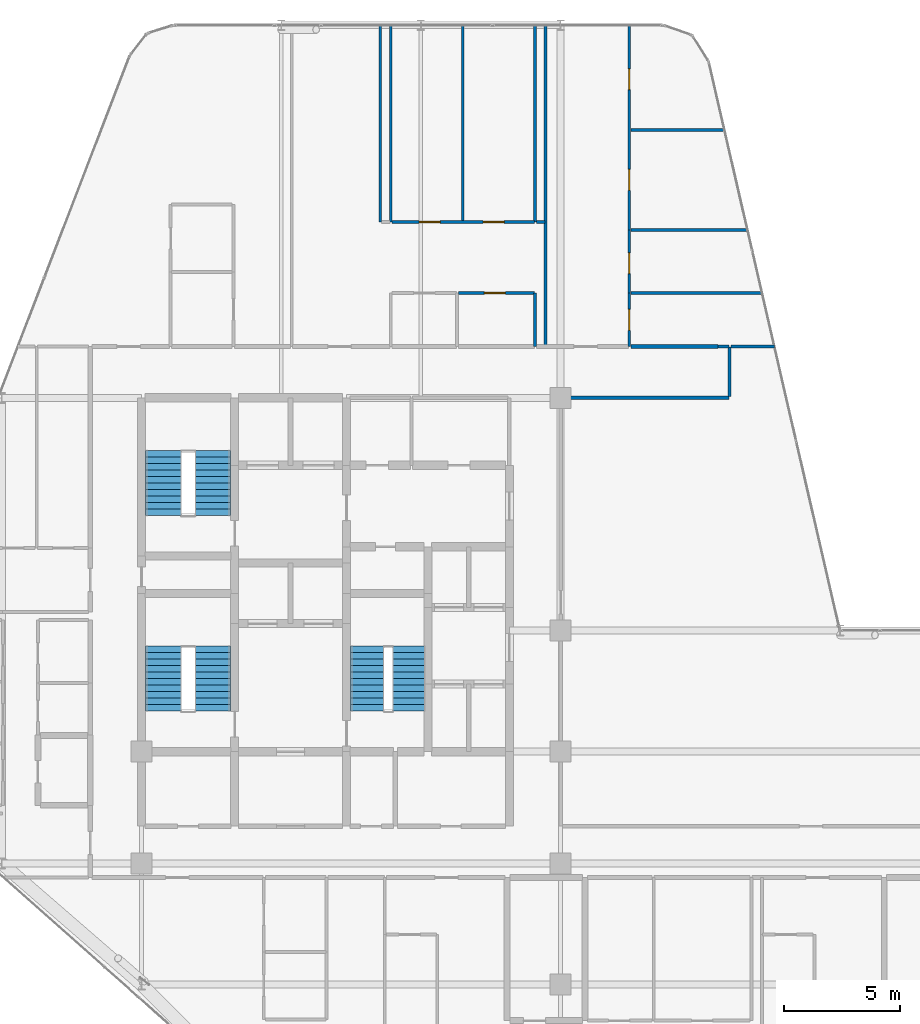
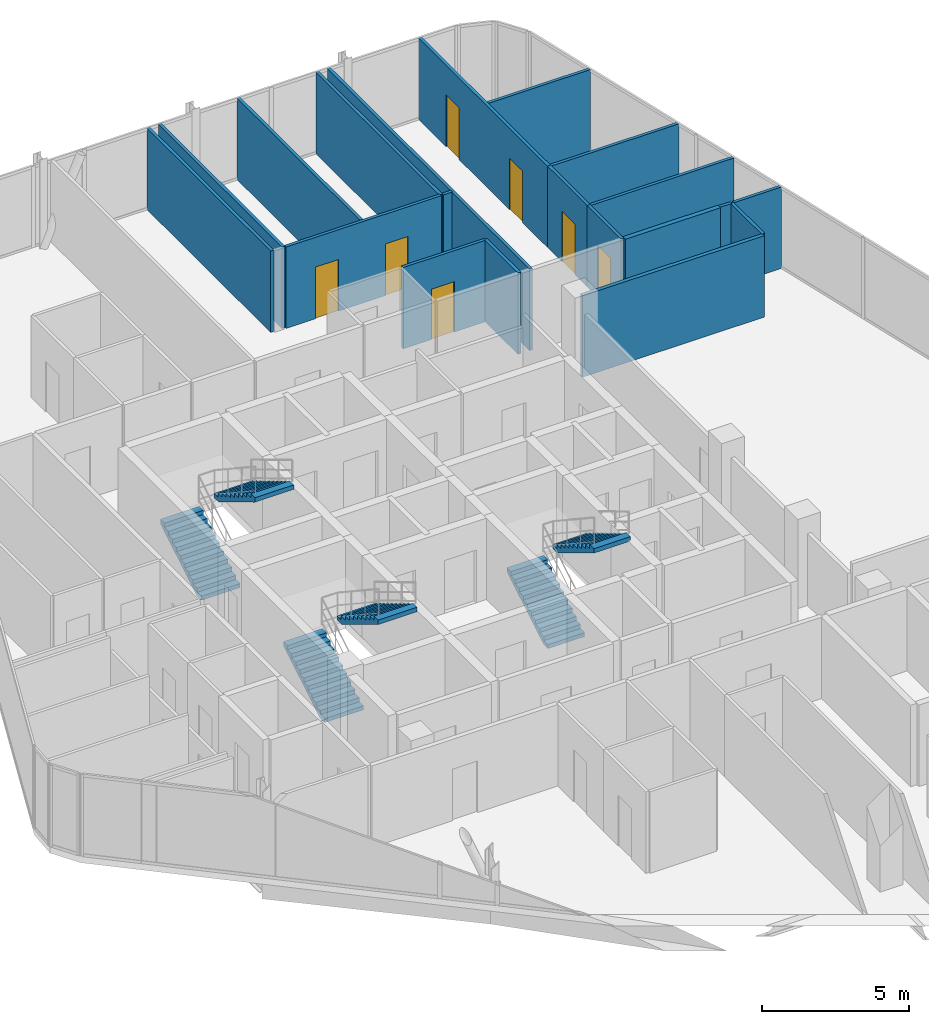
# One storey, part 28 of 29: 20 walls, 7 doors, 6 stair flights, 7 openings, 3 elements without a shape of their own.
"""IFC4 building model written with IfcOpenShell, lengths in metres."""

from ifc_helpers import new_model, si_unit, direction, frame, frame_2d, origin, place, context, subcontext, project, spatial, polyline, rectangle, outline, extrude, material, layer, layer_set, type_object, element, fill, aggregate, save


model = new_model("IFC4")

# Units and contexts
model_context = context("Model", 3, precision=1e-05, world=origin(), true_north=direction((0.0, 1.0)))
body_context = subcontext(model_context, "Body", "Model", "MODEL_VIEW")
ifc_project = project(units=[si_unit("LENGTHUNIT", "METRE"), si_unit("AREAUNIT", "SQUARE_METRE"), si_unit("VOLUMEUNIT", "CUBIC_METRE"), si_unit("PLANEANGLEUNIT", "RADIAN"), si_unit("MASSUNIT", "GRAM", prefix="KILO")], contexts=[model_context])

# Site, building, storey
site_placement = place(None, origin())
site = spatial("IfcSite", under=ifc_project, at=site_placement, CompositionType="ELEMENT")
building_placement = place(site_placement, origin())
building = spatial("IfcBuilding", under=site, at=building_placement, Name="Keshet Zoharim Tower", CompositionType="ELEMENT")
storey_placement = place(building_placement, frame((0.0, 0.0, 169.10009765625)))
storey = spatial("IfcBuildingStorey", under=building, at=storey_placement, Name="L41", CompositionType="ELEMENT", Elevation=169.10009765625)

# Walls
ifc_material_1 = material(Name="Gypsum Plasterboard", Category="gypsum")
ifc_layer_1 = layer(ifc_material_1, 0.14990234375)
ifc_layer_set_1 = layer_set([ifc_layer_1], Name="Gypsum Plasterboard")
wall_type_1 = type_object("IfcWallType", Name="WL-CLIN-150", PredefinedType="STANDARD", material=ifc_layer_set_1)
wall_1_placement = place(storey_placement, frame((33.070068359375, 37.89990234375, 0.0), z_axis=(0.0, 0.0, 1.0), x_axis=(1.0, 0.0, 0.0)))
element("IfcWall", 1, at=wall_1_placement, inside=storey, type_object=wall_type_1, Name="L41 Interior Wall 162", PredefinedType="STANDARD", context=body_context, shape_type="SweptSolid", body=[
    extrude(rectangle(XDim=7.155029296875, YDim=0.14990234375, at=frame_2d((3.57763671875, 0.0))), origin(), (0.0, 0.0, 1.0), 3.389892578125),
])
ifc_layer_2 = layer(ifc_material_1, 0.179931640625)
ifc_layer_set_2 = layer_set([ifc_layer_2], Name="Gypsum Plasterboard")
wall_type_2 = type_object("IfcWallType", Name="WL-CORR-180", PredefinedType="STANDARD", material=ifc_layer_set_2)
wall_2_placement = place(storey_placement, frame((36.014892578125, 40.10009765625, 0.0), z_axis=(0.0, 0.0, 1.0), x_axis=(1.0, 0.0, 0.0)))
element("IfcWall", 2, at=wall_2_placement, inside=storey, type_object=wall_type_2, Name="L41 Interior Wall 172", PredefinedType="STANDARD", context=body_context, shape_type="SweptSolid", body=[
    extrude(rectangle(XDim=3.748046875, YDim=0.179931640625, at=frame_2d((1.8740234375, 0.0))), origin(), (0.0, 0.0, 1.0), 3.389892578125),
])
ifc_layer_3 = layer(ifc_material_1, 0.1201171875)
ifc_layer_set_3 = layer_set([ifc_layer_3], Name="Gypsum Plasterboard")
wall_type_3 = type_object("IfcWallType", Name="WL-PART-120", PredefinedType="PARTITIONING", material=ifc_layer_set_3)
for number, where, z_axis, x_axis, name in (
    (3, (25.25, 45.449951171875, 0.0), (0.0, 0.0, 1.0), (0.0, 1.0, 0.0), "L41 Interior Wall 040"),
    (4, (25.699951171875, 45.449951171875, 0.0), (0.0, 0.0, 1.0), (0.0, 1.0, 0.0), "L41 Interior Wall 044"),
    (5, (28.800048828125, 45.449951171875, 0.0), (0.0, 0.0, 1.0), (0.0, 1.0, 0.0), "L41 Interior Wall 053"),
    (6, (31.89990234375, 45.449951171875, 0.0), (0.0, 0.0, 1.0), (0.0, 1.0, 0.0), "L41 Interior Wall 066"),
):
    element("IfcWall", number, at=place(storey_placement, frame(where, z_axis=z_axis, x_axis=x_axis)), inside=storey, type_object=wall_type_3, Name=name, PredefinedType="PARTITIONING", context=body_context, shape_type="SweptSolid", body=[
        extrude(rectangle(XDim=8.43994140625, YDim=0.1201171875, at=frame_2d((4.219970703125, 0.0))), origin(), (0.0, 0.0, 1.0), 3.389892578125),
    ])
wall_3_placement = place(storey_placement, frame((32.35009765625, 40.10009765625, 0.0), z_axis=(0.0, 0.0, 1.0), x_axis=(0.0, 1.0, 0.0)))
element("IfcWall", 7, at=wall_3_placement, inside=storey, type_object=wall_type_3, Name="L41 Interior Wall 067", PredefinedType="PARTITIONING", context=body_context, shape_type="SweptSolid", body=[
    extrude(rectangle(XDim=13.789794921875, YDim=0.1201171875, at=frame_2d((6.89501953125, 0.0))), origin(), (0.0, 0.0, 1.0), 3.389892578125),
])

# Wall, opening, door
wall_4_placement = place(storey_placement, frame((35.949951171875, 40.10009765625, 0.0), z_axis=(0.0, 0.0, 1.0), x_axis=(0.0, 1.0, 0.0)))
wall_4 = element("IfcWall", 8, at=wall_4_placement, inside=storey, type_object=wall_type_3, Name="L41 Interior Wall 072", PredefinedType="PARTITIONING", context=body_context, shape_type="SweptSolid", body=[
    extrude(rectangle(XDim=2.2998046875, YDim=0.1201171875, at=frame_2d((1.14990234375, 0.0))), origin(), (0.0, 0.0, 1.0), 3.389892578125),
])
opening_1_placement = place(wall_4_placement, frame((0.699951171875, 0.0, 0.0)))
opening_1 = element("IfcOpeningElement", 9, at=opening_1_placement, cuts=wall_4, Name="Opening D-IN90", PredefinedType="OPENING", context=body_context, shape_type="SweptSolid", body=[
    extrude(rectangle(XDim=0.89990234375, YDim=2.14990234375, at=frame_2d((0.449951171875, 1.074951171875))), frame((0.0, 0.070068359375, 0.0), z_axis=(0.0, -1.0, 0.0), x_axis=(1.0, 0.0, 0.0)), (0.0, 0.0, 1.0), 0.14013671875),
])
ifc_material_2 = material(Name="Hardwood Timber", Category="wood")
door_type_1 = type_object("IfcDoorType", Name="DR-INT-090", OperationType="NOTDEFINED", PredefinedType="DOOR", material=ifc_material_2)
door_1_placement = place(opening_1_placement, origin())
door_1 = element("IfcDoor", 10, at=door_1_placement, inside=storey, type_object=door_type_1, Name="Apartment 4106 Kitchen Door", OperationType="SINGLE_SWING_RIGHT", OverallHeight=2.14990234375, OverallWidth=0.89990234375, PredefinedType="DOOR", context=body_context, shape_type="SweptSolid", body=[
    extrude(rectangle(XDim=0.89990234375, YDim=2.14990234375, at=frame_2d((0.449951171875, 1.074951171875))), frame((0.0, 0.02490234375, 0.0), z_axis=(0.0, -1.0, 0.0), x_axis=(1.0, 0.0, 0.0)), (0.0, 0.0, 1.0), 0.050048828125),
])
fill(opening_1, door_1)

# Wall, openings, doors
wall_5_placement = place(storey_placement, frame((35.949951171875, 45.10009765625, 0.0), z_axis=(0.0, 0.0, 1.0), x_axis=(0.0, 1.0, 0.0)))
wall_5 = element("IfcWall", 11, at=wall_5_placement, inside=storey, type_object=wall_type_3, Name="L41 Interior Wall 074", PredefinedType="PARTITIONING", context=body_context, shape_type="SweptSolid", body=[
    extrude(rectangle(XDim=8.789794921875, YDim=0.1201171875, at=frame_2d((4.39501953125, 0.0))), origin(), (0.0, 0.0, 1.0), 3.389892578125),
])
opening_2_placement = place(wall_5_placement, frame((1.7119140625, 0.0, 0.0)))
opening_2 = element("IfcOpeningElement", 12, at=opening_2_placement, cuts=wall_5, Name="Opening D-IN90", PredefinedType="OPENING", context=body_context, shape_type="SweptSolid", body=[
    extrude(rectangle(XDim=0.89990234375, YDim=2.14990234375, at=frame_2d((0.449951171875, 1.074951171875))), frame((0.0, 0.070068359375, 0.0), z_axis=(0.0, -1.0, 0.0), x_axis=(1.0, 0.0, 0.0)), (0.0, 0.0, 1.0), 0.14013671875),
])
opening_3_placement = place(wall_5_placement, frame((6.030029296875, 0.0, 0.0)))
opening_3 = element("IfcOpeningElement", 13, at=opening_3_placement, cuts=wall_5, Name="Opening D-IN90", PredefinedType="OPENING", context=body_context, shape_type="SweptSolid", body=[
    extrude(rectangle(XDim=0.89990234375, YDim=2.14990234375, at=frame_2d((0.449951171875, 1.074951171875))), frame((0.0, 0.070068359375, 0.0), z_axis=(0.0, -1.0, 0.0), x_axis=(1.0, 0.0, 0.0)), (0.0, 0.0, 1.0), 0.14013671875),
])
door_2_placement = place(opening_2_placement, origin())
door_2 = element("IfcDoor", 14, at=door_2_placement, inside=storey, type_object=door_type_1, Name="Apartment 4106 Bedroom 1 Door", OperationType="SINGLE_SWING_RIGHT", OverallHeight=2.14990234375, OverallWidth=0.89990234375, PredefinedType="DOOR", context=body_context, shape_type="SweptSolid", body=[
    extrude(rectangle(XDim=0.89990234375, YDim=2.14990234375, at=frame_2d((0.449951171875, 1.074951171875))), frame((0.0, 0.02490234375, 0.0), z_axis=(0.0, -1.0, 0.0), x_axis=(1.0, 0.0, 0.0)), (0.0, 0.0, 1.0), 0.050048828125),
])
fill(opening_2, door_2)
door_3_placement = place(opening_3_placement, origin())
door_3 = element("IfcDoor", 15, at=door_3_placement, inside=storey, type_object=door_type_1, Name="Apartment 4106 Bedroom 2 Door", OperationType="SINGLE_SWING_LEFT", OverallHeight=2.14990234375, OverallWidth=0.89990234375, PredefinedType="DOOR", context=body_context, shape_type="SweptSolid", body=[
    extrude(rectangle(XDim=0.89990234375, YDim=2.14990234375, at=frame_2d((0.449951171875, 1.074951171875))), frame((0.0, 0.02490234375, 0.0), z_axis=(0.0, -1.0, 0.0), x_axis=(1.0, 0.0, 0.0)), (0.0, 0.0, 1.0), 0.050048828125),
])
fill(opening_3, door_3)

# Walls
wall_6_placement = place(storey_placement, frame((40.25, 37.948974609375, 0.0), z_axis=(0.0, 0.0, 1.0), x_axis=(0.0, 1.0, 0.0)))
element("IfcWall", 16, at=wall_6_placement, inside=storey, type_object=wall_type_3, Name="L41 Interior Wall 077", PredefinedType="PARTITIONING", context=body_context, shape_type="SweptSolid", body=[
    extrude(rectangle(XDim=2.14111328125, YDim=0.1201171875, at=frame_2d((1.070556640625, 0.0))), origin(), (0.0, 0.0, 1.0), 3.389892578125),
])
wall_7_placement = place(storey_placement, frame((39.762939453125, 40.10009765625, 0.0), z_axis=(0.0, 0.0, 1.0), x_axis=(1.0, 0.0, 0.0)))
element("IfcWall", 17, at=wall_7_placement, inside=storey, type_object=wall_type_3, Name="L41 Interior Wall 173", PredefinedType="PARTITIONING", context=body_context, shape_type="SweptSolid", body=[
    extrude(rectangle(XDim=0.462158203125, YDim=0.1201171875, at=frame_2d((0.23095703125, 0.0))), origin(), (0.0, 0.0, 1.0), 3.389892578125),
])
wall_8_placement = place(storey_placement, frame((40.31494140625, 40.10009765625, 0.0), z_axis=(0.0, 0.0, 1.0), x_axis=(1.0, 0.0, 0.0)))
element("IfcWall", 18, at=wall_8_placement, inside=storey, type_object=wall_type_3, Name="L41 Interior Wall 174", PredefinedType="PARTITIONING", context=body_context, shape_type="SweptSolid", body=[
    extrude(rectangle(XDim=1.860107421875, YDim=0.1201171875, at=frame_2d((0.93017578125, 0.0))), origin(), (0.0, 0.0, 1.0), 3.389892578125),
])

# Wall, openings, doors
wall_9_placement = place(storey_placement, frame((25.764892578125, 45.449951171875, 0.0), z_axis=(0.0, 0.0, 1.0), x_axis=(1.0, 0.0, 0.0)))
wall_9 = element("IfcWall", 19, at=wall_9_placement, inside=storey, type_object=wall_type_3, Name="L41 Interior Wall 181", PredefinedType="PARTITIONING", context=body_context, shape_type="SweptSolid", body=[
    extrude(rectangle(XDim=6.110107421875, YDim=0.1201171875, at=frame_2d((3.05517578125, 0.0))), origin(), (0.0, 0.0, 1.0), 3.389892578125),
])
opening_4_placement = place(wall_9_placement, frame((1.156005859375, 0.0, 0.0)))
opening_4 = element("IfcOpeningElement", 20, at=opening_4_placement, cuts=wall_9, Name="Opening D-IN90", PredefinedType="OPENING", context=body_context, shape_type="SweptSolid", body=[
    extrude(rectangle(XDim=0.89990234375, YDim=2.14990234375, at=frame_2d((0.449951171875, 1.074951171875))), frame((0.0, 0.070068359375, 0.0), z_axis=(0.0, -1.0, 0.0), x_axis=(1.0, 0.0, 0.0)), (0.0, 0.0, 1.0), 0.14013671875),
])
opening_5_placement = place(wall_9_placement, frame((3.906005859375, 0.0, 0.0)))
opening_5 = element("IfcOpeningElement", 21, at=opening_5_placement, cuts=wall_9, Name="Opening D-IN90", PredefinedType="OPENING", context=body_context, shape_type="SweptSolid", body=[
    extrude(rectangle(XDim=0.89990234375, YDim=2.14990234375, at=frame_2d((0.449951171875, 1.074951171875))), frame((0.0, 0.070068359375, 0.0), z_axis=(0.0, -1.0, 0.0), x_axis=(1.0, 0.0, 0.0)), (0.0, 0.0, 1.0), 0.14013671875),
])
door_4_placement = place(opening_4_placement, origin())
door_4 = element("IfcDoor", 22, at=door_4_placement, inside=storey, type_object=door_type_1, Name="Apartment 4105 Bedroom 1 Door", OperationType="SINGLE_SWING_LEFT", OverallHeight=2.14990234375, OverallWidth=0.89990234375, PredefinedType="DOOR", context=body_context, shape_type="SweptSolid", body=[
    extrude(rectangle(XDim=0.89990234375, YDim=2.14990234375, at=frame_2d((0.449951171875, 1.074951171875))), frame((0.0, 0.02490234375, 0.0), z_axis=(0.0, -1.0, 0.0), x_axis=(1.0, 0.0, 0.0)), (0.0, 0.0, 1.0), 0.050048828125),
])
fill(opening_4, door_4)
door_5_placement = place(opening_5_placement, origin())
door_5 = element("IfcDoor", 23, at=door_5_placement, inside=storey, type_object=door_type_1, Name="Apartment 4105 Bedroom 2 Door", OperationType="SINGLE_SWING_RIGHT", OverallHeight=2.14990234375, OverallWidth=0.89990234375, PredefinedType="DOOR", context=body_context, shape_type="SweptSolid", body=[
    extrude(rectangle(XDim=0.89990234375, YDim=2.14990234375, at=frame_2d((0.449951171875, 1.074951171875))), frame((0.0, 0.02490234375, 0.0), z_axis=(0.0, -1.0, 0.0), x_axis=(1.0, 0.0, 0.0)), (0.0, 0.0, 1.0), 0.050048828125),
])
fill(opening_5, door_5)

# Walls
wall_10_placement = place(storey_placement, frame((31.965087890625, 45.449951171875, 0.0), z_axis=(0.0, 0.0, 1.0), x_axis=(1.0, 0.0, 0.0)))
element("IfcWall", 24, at=wall_10_placement, inside=storey, type_object=wall_type_3, Name="L41 Interior Wall 182", PredefinedType="PARTITIONING", context=body_context, shape_type="SweptSolid", body=[
    extrude(rectangle(XDim=0.35986328125, YDim=0.1201171875, at=frame_2d((0.179931640625, 0.0))), origin(), (0.0, 0.0, 1.0), 3.389892578125),
])
wall_11_placement = place(storey_placement, frame((36.014892578125, 49.39990234375, 0.0), z_axis=(0.0, 0.0, 1.0), x_axis=(1.0, 0.0, 0.0)))
element("IfcWall", 25, at=wall_11_placement, inside=storey, type_object=wall_type_3, Name="L41 Interior Wall 184", PredefinedType="PARTITIONING", context=body_context, shape_type="SweptSolid", body=[
    extrude(rectangle(XDim=4.01416015625, YDim=0.1201171875, at=frame_2d((2.007080078125, 0.0))), origin(), (0.0, 0.0, 1.0), 3.389892578125),
])
ifc_layer_4 = layer(ifc_material_1, 0.1201171875)
ifc_layer_set_4 = layer_set([ifc_layer_4], Name="Gypsum Plasterboard")
wall_type_4 = type_object("IfcWallType", Name="WL-WET-120", PredefinedType="PARTITIONING", material=ifc_layer_set_4)
wall_12_placement = place(storey_placement, frame((31.89990234375, 40.10009765625, 0.0), z_axis=(0.0, 0.0, 1.0), x_axis=(0.0, 1.0, 0.0)))
element("IfcWall", 26, at=wall_12_placement, inside=storey, type_object=wall_type_4, Name="L41 Interior Wall 065", PredefinedType="PARTITIONING", context=body_context, shape_type="SweptSolid", body=[
    extrude(rectangle(XDim=2.2998046875, YDim=0.1201171875, at=frame_2d((1.14990234375, 0.0))), origin(), (0.0, 0.0, 1.0), 3.389892578125),
])

# Wall, opening, door
wall_13_placement = place(storey_placement, frame((35.949951171875, 42.39990234375, 0.0), z_axis=(0.0, 0.0, 1.0), x_axis=(0.0, 1.0, 0.0)))
wall_13 = element("IfcWall", 27, at=wall_13_placement, inside=storey, type_object=wall_type_4, Name="L41 Interior Wall 073", PredefinedType="PARTITIONING", context=body_context, shape_type="SweptSolid", body=[
    extrude(rectangle(XDim=2.7001953125, YDim=0.1201171875, at=frame_2d((1.35009765625, 0.0))), origin(), (0.0, 0.0, 1.0), 3.389892578125),
])
opening_6_placement = place(wall_13_placement, frame((0.827880859375, 0.0, 0.0)))
opening_6 = element("IfcOpeningElement", 28, at=opening_6_placement, cuts=wall_13, Name="Opening D-WT90", PredefinedType="OPENING", context=body_context, shape_type="SweptSolid", body=[
    extrude(rectangle(XDim=0.89990234375, YDim=2.10009765625, at=frame_2d((0.449951171875, 1.050048828125))), frame((0.0, 0.070068359375, 0.0), z_axis=(0.0, -1.0, 0.0), x_axis=(1.0, 0.0, 0.0)), (0.0, 0.0, 1.0), 0.14013671875),
])
door_type_2 = type_object("IfcDoorType", Name="DR-WET-090", OperationType="NOTDEFINED", PredefinedType="DOOR", material=ifc_material_2)
door_6_placement = place(opening_6_placement, origin())
door_6 = element("IfcDoor", 29, at=door_6_placement, inside=storey, type_object=door_type_2, Name="Apartment 4106 Bathroom Door", OperationType="SINGLE_SWING_LEFT", OverallHeight=2.10009765625, OverallWidth=0.89990234375, PredefinedType="DOOR", context=body_context, shape_type="SweptSolid", body=[
    extrude(rectangle(XDim=0.89990234375, YDim=2.10009765625, at=frame_2d((0.449951171875, 1.050048828125))), frame((0.0, 0.02490234375, 0.0), z_axis=(0.0, -1.0, 0.0), x_axis=(1.0, 0.0, 0.0)), (0.0, 0.0, 1.0), 0.050048828125),
])
fill(opening_6, door_6)

wall_14_placement = place(storey_placement, frame((28.616943359375, 42.39990234375, 0.0), z_axis=(0.0, 0.0, 1.0), x_axis=(1.0, 0.0, 0.0)))
wall_14 = element("IfcWall", 30, at=wall_14_placement, inside=storey, type_object=wall_type_4, Name="L41 Interior Wall 176", PredefinedType="PARTITIONING", context=body_context, shape_type="SweptSolid", body=[
    extrude(rectangle(XDim=3.258056640625, YDim=0.1201171875, at=frame_2d((1.62890625, 0.0))), origin(), (0.0, 0.0, 1.0), 3.389892578125),
])
opening_7_placement = place(wall_14_placement, frame((1.10498046875, 0.0, 0.0)))
opening_7 = element("IfcOpeningElement", 31, at=opening_7_placement, cuts=wall_14, Name="Opening D-WT90", PredefinedType="OPENING", context=body_context, shape_type="SweptSolid", body=[
    extrude(rectangle(XDim=0.89990234375, YDim=2.10009765625, at=frame_2d((0.449951171875, 1.050048828125))), frame((0.0, 0.070068359375, 0.0), z_axis=(0.0, -1.0, 0.0), x_axis=(1.0, 0.0, 0.0)), (0.0, 0.0, 1.0), 0.14013671875),
])
door_7_placement = place(opening_7_placement, origin())
door_7 = element("IfcDoor", 32, at=door_7_placement, inside=storey, type_object=door_type_2, Name="Apartment 4105 Bathroom Door", OperationType="SINGLE_SWING_RIGHT", OverallHeight=2.10009765625, OverallWidth=0.89990234375, PredefinedType="DOOR", context=body_context, shape_type="SweptSolid", body=[
    extrude(rectangle(XDim=0.89990234375, YDim=2.10009765625, at=frame_2d((0.449951171875, 1.050048828125))), frame((0.0, 0.02490234375, 0.0), z_axis=(0.0, -1.0, 0.0), x_axis=(1.0, 0.0, 0.0)), (0.0, 0.0, 1.0), 0.050048828125),
])
fill(opening_7, door_7)

# Walls
wall_15_placement = place(storey_placement, frame((36.014892578125, 42.39990234375, 0.0), z_axis=(0.0, 0.0, 1.0), x_axis=(1.0, 0.0, 0.0)))
element("IfcWall", 33, at=wall_15_placement, inside=storey, type_object=wall_type_4, Name="L41 Interior Wall 177", PredefinedType="PARTITIONING", context=body_context, shape_type="SweptSolid", body=[
    extrude(rectangle(XDim=5.629150390625, YDim=0.1201171875, at=frame_2d((2.814453125, 0.0))), origin(), (0.0, 0.0, 1.0), 3.389892578125),
])
wall_16_placement = place(storey_placement, frame((36.014892578125, 45.10009765625, 0.0), z_axis=(0.0, 0.0, 1.0), x_axis=(1.0, 0.0, 0.0)))
element("IfcWall", 34, at=wall_16_placement, inside=storey, type_object=wall_type_4, Name="L41 Interior Wall 179", PredefinedType="PARTITIONING", context=body_context, shape_type="SweptSolid", body=[
    extrude(rectangle(XDim=5.006103515625, YDim=0.1201171875, at=frame_2d((2.5029296875, 0.0))), origin(), (0.0, 0.0, 1.0), 3.389892578125),
])

# Stair, stair flights
ifc_material_3 = material(Name="Concrete C50/60", Category="concrete")
stair_type = type_object("IfcStairType", Name="STR-EXIT-135", PredefinedType="HALF_TURN_STAIR", material=ifc_material_3)
stair_1_placement = place(storey_placement, origin())
stair_1 = element("IfcStair", 35, at=stair_1_placement, inside=storey, type_object=stair_type, Name="L41 Enclosed Exit Stair ST-01", PredefinedType="HALF_TURN_STAIR")
stair_flight_type_1 = type_object("IfcStairFlightType", Name="FLT-PRE-135", PredefinedType="STRAIGHT", material=ifc_material_3)
stair_flight_1_placement = place(storey_placement, frame((15.945068359375, 24.43994140625, 0.0), z_axis=(0.0, 0.0, 1.0), x_axis=(0.0, 1.0, 0.0)))
stair_flight_1 = element("IfcStairFlight", 36, at=stair_flight_1_placement, type_object=stair_flight_type_1, Name="ST-01 flight 1", NumberOfRisers=11, NumberOfTreads=10, PredefinedType="STRAIGHT", RiserHeight=0.168182, TreadLength=0.28, context=body_context, shape_type="SweptSolid", body=[
    extrude(outline(polyline([(0.0, 0.0), (0.0, 0.168212890625), (0.280029296875, 0.168212890625), (0.280029296875, 0.33642578125), (0.56005859375, 0.33642578125), (0.56005859375, 0.504638671875), (0.840087890625, 0.504638671875), (0.840087890625, 0.672607421875), (1.1201171875, 0.672607421875), (1.1201171875, 0.8408203125), (1.39990234375, 0.8408203125), (1.39990234375, 1.009033203125), (1.679931640625, 1.009033203125), (1.679931640625, 1.17724609375), (1.9599609375, 1.17724609375), (1.9599609375, 1.345458984375), (2.239990234375, 1.345458984375), (2.239990234375, 1.513671875), (2.52001953125, 1.513671875), (2.52001953125, 1.681884765625), (2.800048828125, 1.681884765625), (2.800048828125, 1.85009765625), (2.800048828125, 1.495361328125), (0.310546875, 0.0), (0.0, 0.0)])), frame((0.0, 0.76513671875, 0.0), z_axis=(0.0, -1.0, 0.0), x_axis=(1.0, 0.0, 0.0)), (0.0, 0.0, 1.0), 1.530029296875),
])
stair_flight_2_placement = place(storey_placement, frame((18.054931640625, 27.239990234375, 1.849853515625), z_axis=(0.0, 0.0, 1.0), x_axis=(0.0, -1.0, 0.0)))
stair_flight_2 = element("IfcStairFlight", 37, at=stair_flight_2_placement, type_object=stair_flight_type_1, Name="ST-01 flight 2", NumberOfRisers=11, NumberOfTreads=10, PredefinedType="STRAIGHT", RiserHeight=0.168182, TreadLength=0.28, context=body_context, shape_type="SweptSolid", body=[
    extrude(outline(polyline([(0.0, 0.0), (0.0, 0.168212890625), (0.280029296875, 0.168212890625), (0.280029296875, 0.33642578125), (0.56005859375, 0.33642578125), (0.56005859375, 0.504638671875), (0.840087890625, 0.504638671875), (0.840087890625, 0.672607421875), (1.1201171875, 0.672607421875), (1.1201171875, 0.8408203125), (1.39990234375, 0.8408203125), (1.39990234375, 1.009033203125), (1.679931640625, 1.009033203125), (1.679931640625, 1.17724609375), (1.9599609375, 1.17724609375), (1.9599609375, 1.345458984375), (2.239990234375, 1.345458984375), (2.239990234375, 1.513671875), (2.52001953125, 1.513671875), (2.52001953125, 1.681884765625), (2.800048828125, 1.681884765625), (2.800048828125, 1.85009765625), (2.800048828125, 1.495361328125), (0.310546875, 0.0), (0.0, 0.0)])), frame((0.0, 0.76513671875, 0.0), z_axis=(0.0, -1.0, 0.0), x_axis=(1.0, 0.0, 0.0)), (0.0, 0.0, 1.0), 1.530029296875),
])
aggregate(stair_1, [stair_flight_1, stair_flight_2])

stair_2_placement = place(storey_placement, origin())
stair_2 = element("IfcStair", 38, at=stair_2_placement, inside=storey, type_object=stair_type, Name="L41 Enclosed Exit Stair ST-02", PredefinedType="HALF_TURN_STAIR")
stair_flight_3_placement = place(storey_placement, frame((15.945068359375, 32.840087890625, 0.0), z_axis=(0.0, 0.0, 1.0), x_axis=(0.0, 1.0, 0.0)))
stair_flight_3 = element("IfcStairFlight", 39, at=stair_flight_3_placement, type_object=stair_flight_type_1, Name="ST-02 flight 1", NumberOfRisers=11, NumberOfTreads=10, PredefinedType="STRAIGHT", RiserHeight=0.168182, TreadLength=0.28, context=body_context, shape_type="SweptSolid", body=[
    extrude(outline(polyline([(0.0, 0.0), (0.0, 0.168212890625), (0.280029296875, 0.168212890625), (0.280029296875, 0.33642578125), (0.56005859375, 0.33642578125), (0.56005859375, 0.504638671875), (0.840087890625, 0.504638671875), (0.840087890625, 0.672607421875), (1.1201171875, 0.672607421875), (1.1201171875, 0.8408203125), (1.39990234375, 0.8408203125), (1.39990234375, 1.009033203125), (1.679931640625, 1.009033203125), (1.679931640625, 1.17724609375), (1.9599609375, 1.17724609375), (1.9599609375, 1.345458984375), (2.239990234375, 1.345458984375), (2.239990234375, 1.513671875), (2.52001953125, 1.513671875), (2.52001953125, 1.681884765625), (2.800048828125, 1.681884765625), (2.800048828125, 1.85009765625), (2.800048828125, 1.495361328125), (0.310546875, 0.0), (0.0, 0.0)])), frame((0.0, 0.76513671875, 0.0), z_axis=(0.0, -1.0, 0.0), x_axis=(1.0, 0.0, 0.0)), (0.0, 0.0, 1.0), 1.530029296875),
])
stair_flight_4_placement = place(storey_placement, frame((18.054931640625, 35.639892578125, 1.849853515625), z_axis=(0.0, 0.0, 1.0), x_axis=(0.0, -1.0, 0.0)))
stair_flight_4 = element("IfcStairFlight", 40, at=stair_flight_4_placement, type_object=stair_flight_type_1, Name="ST-02 flight 2", NumberOfRisers=11, NumberOfTreads=10, PredefinedType="STRAIGHT", RiserHeight=0.168182, TreadLength=0.28, context=body_context, shape_type="SweptSolid", body=[
    extrude(outline(polyline([(0.0, 0.0), (0.0, 0.168212890625), (0.280029296875, 0.168212890625), (0.280029296875, 0.33642578125), (0.56005859375, 0.33642578125), (0.56005859375, 0.504638671875), (0.840087890625, 0.504638671875), (0.840087890625, 0.672607421875), (1.1201171875, 0.672607421875), (1.1201171875, 0.8408203125), (1.39990234375, 0.8408203125), (1.39990234375, 1.009033203125), (1.679931640625, 1.009033203125), (1.679931640625, 1.17724609375), (1.9599609375, 1.17724609375), (1.9599609375, 1.345458984375), (2.239990234375, 1.345458984375), (2.239990234375, 1.513671875), (2.52001953125, 1.513671875), (2.52001953125, 1.681884765625), (2.800048828125, 1.681884765625), (2.800048828125, 1.85009765625), (2.800048828125, 1.495361328125), (0.310546875, 0.0), (0.0, 0.0)])), frame((0.0, 0.76513671875, 0.0), z_axis=(0.0, -1.0, 0.0), x_axis=(1.0, 0.0, 0.0)), (0.0, 0.0, 1.0), 1.530029296875),
])
aggregate(stair_2, [stair_flight_3, stair_flight_4])

stair_3_placement = place(storey_placement, origin())
stair_3 = element("IfcStair", 41, at=stair_3_placement, inside=storey, type_object=stair_type, Name="L41 Enclosed Exit Stair ST-03", PredefinedType="HALF_TURN_STAIR")
stair_flight_type_2 = type_object("IfcStairFlightType", Name="FLT-PRE-144", PredefinedType="STRAIGHT", material=ifc_material_3)
stair_flight_5_placement = place(storey_placement, frame((24.699951171875, 24.43994140625, 0.0), z_axis=(0.0, 0.0, 1.0), x_axis=(0.0, 1.0, 0.0)))
stair_flight_5 = element("IfcStairFlight", 42, at=stair_flight_5_placement, type_object=stair_flight_type_2, Name="ST-03 flight 1", NumberOfRisers=11, NumberOfTreads=10, PredefinedType="STRAIGHT", RiserHeight=0.168182, TreadLength=0.28, context=body_context, shape_type="SweptSolid", body=[
    extrude(outline(polyline([(0.0, 0.0), (0.0, 0.168212890625), (0.280029296875, 0.168212890625), (0.280029296875, 0.33642578125), (0.56005859375, 0.33642578125), (0.56005859375, 0.504638671875), (0.840087890625, 0.504638671875), (0.840087890625, 0.672607421875), (1.1201171875, 0.672607421875), (1.1201171875, 0.8408203125), (1.39990234375, 0.8408203125), (1.39990234375, 1.009033203125), (1.679931640625, 1.009033203125), (1.679931640625, 1.17724609375), (1.9599609375, 1.17724609375), (1.9599609375, 1.345458984375), (2.239990234375, 1.345458984375), (2.239990234375, 1.513671875), (2.52001953125, 1.513671875), (2.52001953125, 1.681884765625), (2.800048828125, 1.681884765625), (2.800048828125, 1.85009765625), (2.800048828125, 1.495361328125), (0.310546875, 0.0), (0.0, 0.0)])), frame((0.0, 0.719970703125, 0.0), z_axis=(0.0, -1.0, 0.0), x_axis=(1.0, 0.0, 0.0)), (0.0, 0.0, 1.0), 1.43994140625),
])
stair_flight_6_placement = place(storey_placement, frame((26.5, 27.239990234375, 1.849853515625), z_axis=(0.0, 0.0, 1.0), x_axis=(0.0, -1.0, 0.0)))
stair_flight_6 = element("IfcStairFlight", 43, at=stair_flight_6_placement, type_object=stair_flight_type_2, Name="ST-03 flight 2", NumberOfRisers=11, NumberOfTreads=10, PredefinedType="STRAIGHT", RiserHeight=0.168182, TreadLength=0.28, context=body_context, shape_type="SweptSolid", body=[
    extrude(outline(polyline([(0.0, 0.0), (0.0, 0.168212890625), (0.280029296875, 0.168212890625), (0.280029296875, 0.33642578125), (0.56005859375, 0.33642578125), (0.56005859375, 0.504638671875), (0.840087890625, 0.504638671875), (0.840087890625, 0.672607421875), (1.1201171875, 0.672607421875), (1.1201171875, 0.8408203125), (1.39990234375, 0.8408203125), (1.39990234375, 1.009033203125), (1.679931640625, 1.009033203125), (1.679931640625, 1.17724609375), (1.9599609375, 1.17724609375), (1.9599609375, 1.345458984375), (2.239990234375, 1.345458984375), (2.239990234375, 1.513671875), (2.52001953125, 1.513671875), (2.52001953125, 1.681884765625), (2.800048828125, 1.681884765625), (2.800048828125, 1.85009765625), (2.800048828125, 1.495361328125), (0.310546875, 0.0), (0.0, 0.0)])), frame((0.0, 0.719970703125, 0.0), z_axis=(0.0, -1.0, 0.0), x_axis=(1.0, 0.0, 0.0)), (0.0, 0.0, 1.0), 1.43994140625),
])
aggregate(stair_3, [stair_flight_5, stair_flight_6])

save(model, "model.ifc")
